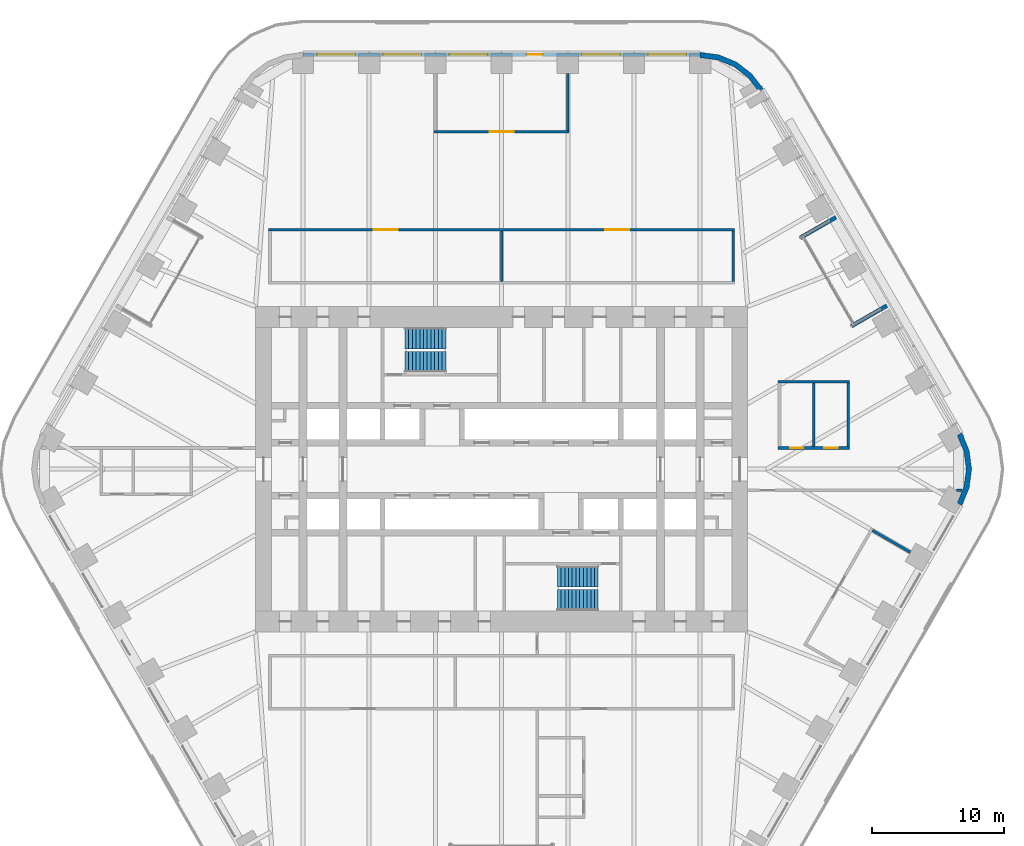
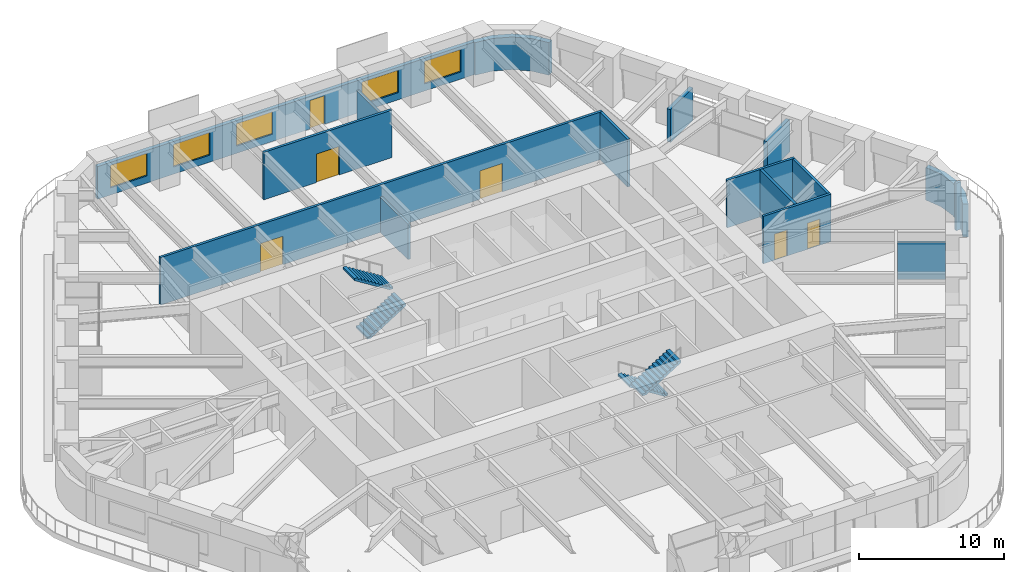
# One storey, part 21 of 24: 16 walls, 6 doors, 5 windows, 4 stair flights, 11 openings, 2 elements without a shape of their own.
"""IFC4 building model written with IfcOpenShell, lengths in metres."""

from ifc_helpers import new_model, si_unit, direction, frame, frame_2d, origin, place, context, subcontext, project, spatial, polyline, rectangle, outline, extrude, material, layer, layer_set, type_object, element, fill, aggregate, save


model = new_model("IFC4")

# Units and contexts
model_context = context("Model", 3, precision=1e-05, world=origin(), true_north=direction((0.0, 1.0)))
body_context = subcontext(model_context, "Body", "Model", "MODEL_VIEW")
ifc_project = project(units=[si_unit("LENGTHUNIT", "METRE"), si_unit("AREAUNIT", "SQUARE_METRE"), si_unit("VOLUMEUNIT", "CUBIC_METRE"), si_unit("PLANEANGLEUNIT", "RADIAN"), si_unit("MASSUNIT", "GRAM", prefix="KILO")], contexts=[model_context])

# Site, building, storey
site_placement = place(None, origin())
site = spatial("IfcSite", under=ifc_project, at=site_placement, CompositionType="ELEMENT")
building_placement = place(site_placement, origin())
building = spatial("IfcBuilding", under=site, at=building_placement, Name="Tarfa Lantern Tower", CompositionType="ELEMENT")
storey_placement = place(building_placement, frame((0.0, 0.0, 157.300048828125)))
storey = spatial("IfcBuildingStorey", under=building, at=storey_placement, Name="L35", CompositionType="ELEMENT", Elevation=157.300048828125)

# Walls
ifc_material_1 = material(Name="Limestone cladding on blockwork", Category="masonry")
ifc_layer_1 = layer(ifc_material_1, 0.300048828125)
ifc_layer_set_1 = layer_set([ifc_layer_1], Name="EW1 STONE-CLAD WALL 300")
wall_type_1 = type_object("IfcWallType", Name="EW1 STONE-CLAD WALL 300", PredefinedType="SOLIDWALL", material=ifc_layer_set_1)
wall_1_placement = place(storey_placement, frame((29.1201171875, 12.362548828125, 0.0), z_axis=(0.0, 0.0, 1.0), x_axis=(-0.86602952684, -0.49999285859, 0.0)))
element("IfcWall", 1, at=wall_1_placement, inside=storey, type_object=wall_type_1, Name="Loggia return NE 1", PredefinedType="SOLIDWALL", context=body_context, shape_type="SweptSolid", body=[
    extrude(rectangle(XDim=3.10009765625, YDim=0.300048828125, at=frame_2d((1.550048828125, 0.0))), origin(), (0.0, 0.0, 1.0), 2.75),
])
wall_2_placement = place(storey_placement, frame((25.266357421875, 19.037353515625, 0.0), z_axis=(0.0, 0.0, 1.0), x_axis=(-0.86600983753, -0.500026960575, 0.0)))
element("IfcWall", 2, at=wall_2_placement, inside=storey, type_object=wall_type_1, Name="Loggia return NE 2", PredefinedType="SOLIDWALL", context=body_context, shape_type="SweptSolid", body=[
    extrude(rectangle(XDim=3.099853515625, YDim=0.300048828125, at=frame_2d((1.5498046875, 0.0))), origin(), (0.0, 0.0, 1.0), 2.75),
])

# Wall, openings, door, windows
wall_3_placement = place(storey_placement, frame((15.010986328125, 31.35009765625, 0.0), z_axis=(0.0, 0.0, 1.0), x_axis=(-1.0, 0.0, 0.0)))
wall_3 = element("IfcWall", 3, at=wall_3_placement, inside=storey, type_object=wall_type_1, Name="Stone wall N", PredefinedType="SOLIDWALL", context=body_context, shape_type="SweptSolid", body=[
    extrude(rectangle(XDim=30.02197265625, YDim=0.300048828125, at=frame_2d((15.010986328125, 0.0))), origin(), (0.0, 0.0, 1.0), 2.75),
])
opening_1_placement = place(wall_3_placement, frame((1.0517578125, 0.0, 0.60009765625)))
opening_1 = element("IfcOpeningElement", 4, at=opening_1_placement, cuts=wall_3, Name="Opening W9", PredefinedType="OPENING", context=body_context, shape_type="SweptSolid", body=[
    extrude(rectangle(XDim=2.89990234375, YDim=1.89990234375, at=frame_2d((1.449951171875, 0.949951171875))), frame((0.0, 0.159912109375, 0.0), z_axis=(0.0, -1.0, 0.0), x_axis=(1.0, 0.0, 0.0)), (0.0, 0.0, 1.0), 0.320068359375),
])
opening_2_placement = place(wall_3_placement, frame((6.0556640625, 0.0, 0.60009765625)))
opening_2 = element("IfcOpeningElement", 5, at=opening_2_placement, cuts=wall_3, Name="Opening W9", PredefinedType="OPENING", context=body_context, shape_type="SweptSolid", body=[
    extrude(rectangle(XDim=2.89990234375, YDim=1.89990234375, at=frame_2d((1.449951171875, 0.949951171875))), frame((0.0, 0.159912109375, 0.0), z_axis=(0.0, -1.0, 0.0), x_axis=(1.0, 0.0, 0.0)), (0.0, 0.0, 1.0), 0.320068359375),
])
opening_3_placement = place(wall_3_placement, frame((11.9091796875, 0.0, 0.0)))
opening_3 = element("IfcOpeningElement", 6, at=opening_3_placement, cuts=wall_3, Name="Opening D48", PredefinedType="OPENING", context=body_context, shape_type="SweptSolid", body=[
    extrude(rectangle(XDim=1.199951171875, YDim=2.39990234375, at=frame_2d((0.60009765625, 1.199951171875))), frame((0.0, 0.159912109375, 0.0), z_axis=(0.0, -1.0, 0.0), x_axis=(1.0, 0.0, 0.0)), (0.0, 0.0, 1.0), 0.320068359375),
])
opening_4_placement = place(wall_3_placement, frame((16.06298828125, 0.0, 0.60009765625)))
opening_4 = element("IfcOpeningElement", 7, at=opening_4_placement, cuts=wall_3, Name="Opening W9", PredefinedType="OPENING", context=body_context, shape_type="SweptSolid", body=[
    extrude(rectangle(XDim=2.89990234375, YDim=1.89990234375, at=frame_2d((1.449951171875, 0.949951171875))), frame((0.0, 0.159912109375, 0.0), z_axis=(0.0, -1.0, 0.0), x_axis=(1.0, 0.0, 0.0)), (0.0, 0.0, 1.0), 0.320068359375),
])
opening_5_placement = place(wall_3_placement, frame((21.066650390625, 0.0, 0.60009765625)))
opening_5 = element("IfcOpeningElement", 8, at=opening_5_placement, cuts=wall_3, Name="Opening W9", PredefinedType="OPENING", context=body_context, shape_type="SweptSolid", body=[
    extrude(rectangle(XDim=2.89990234375, YDim=1.89990234375, at=frame_2d((1.449951171875, 0.949951171875))), frame((0.0, 0.159912109375, 0.0), z_axis=(0.0, -1.0, 0.0), x_axis=(1.0, 0.0, 0.0)), (0.0, 0.0, 1.0), 0.320068359375),
])
opening_6_placement = place(wall_3_placement, frame((26.0703125, 0.0, 0.60009765625)))
opening_6 = element("IfcOpeningElement", 9, at=opening_6_placement, cuts=wall_3, Name="Opening W9", PredefinedType="OPENING", context=body_context, shape_type="SweptSolid", body=[
    extrude(rectangle(XDim=2.89990234375, YDim=1.89990234375, at=frame_2d((1.449951171875, 0.949951171875))), frame((0.0, 0.159912109375, 0.0), z_axis=(0.0, -1.0, 0.0), x_axis=(1.0, 0.0, 0.0)), (0.0, 0.0, 1.0), 0.320068359375),
])
ifc_material_2 = material(Name="Aluminium framed glazed door", Category="aluminium")
door_type_1 = type_object("IfcDoorType", Name="BE3 BALCONY DOOR 1200x2400", OperationType="SINGLE_SWING_RIGHT", PredefinedType="DOOR", material=ifc_material_2)
door_1_placement = place(opening_3_placement, origin())
door_1 = element("IfcDoor", 10, at=door_1_placement, inside=storey, type_object=door_type_1, Name="Balcony door N", OperationType="SINGLE_SWING_RIGHT", OverallHeight=2.39990234375, OverallWidth=1.199951171875, PredefinedType="DOOR", context=body_context, shape_type="SweptSolid", body=[
    extrude(rectangle(XDim=1.199951171875, YDim=2.39990234375, at=frame_2d((0.60009765625, 1.199951171875))), frame((0.0, 0.02490234375, 0.0), z_axis=(0.0, -1.0, 0.0), x_axis=(1.0, 0.0, 0.0)), (0.0, 0.0, 1.0), 0.050048828125),
])
fill(opening_3, door_1)
ifc_material_3 = material(Name="Aluminium frame, double glazed", Category="aluminium")
window_type = type_object("IfcWindowType", Name="W9 FULL-HEIGHT GLAZING 2900x1900", PartitioningType="SINGLE_PANEL", PredefinedType="WINDOW", material=ifc_material_3)
window_1_placement = place(opening_1_placement, origin())
window_1 = element("IfcWindow", 11, at=window_1_placement, inside=storey, type_object=window_type, Name="Window N 1", OverallHeight=1.89990234375, OverallWidth=2.89990234375, PartitioningType="SINGLE_PANEL", PredefinedType="WINDOW", context=body_context, shape_type="SweptSolid", body=[
    extrude(rectangle(XDim=2.89990234375, YDim=1.89990234375, at=frame_2d((1.449951171875, 0.949951171875))), frame((0.0, 0.030029296875, 0.0), z_axis=(0.0, -1.0, 0.0), x_axis=(1.0, 0.0, 0.0)), (0.0, 0.0, 1.0), 0.06005859375),
])
fill(opening_1, window_1)
window_2_placement = place(opening_2_placement, origin())
window_2 = element("IfcWindow", 12, at=window_2_placement, inside=storey, type_object=window_type, Name="Window N 2", OverallHeight=1.89990234375, OverallWidth=2.89990234375, PartitioningType="SINGLE_PANEL", PredefinedType="WINDOW", context=body_context, shape_type="SweptSolid", body=[
    extrude(rectangle(XDim=2.89990234375, YDim=1.89990234375, at=frame_2d((1.449951171875, 0.949951171875))), frame((0.0, 0.030029296875, 0.0), z_axis=(0.0, -1.0, 0.0), x_axis=(1.0, 0.0, 0.0)), (0.0, 0.0, 1.0), 0.06005859375),
])
fill(opening_2, window_2)
window_3_placement = place(opening_4_placement, origin())
window_3 = element("IfcWindow", 13, at=window_3_placement, inside=storey, type_object=window_type, Name="Window N 4", OverallHeight=1.89990234375, OverallWidth=2.89990234375, PartitioningType="SINGLE_PANEL", PredefinedType="WINDOW", context=body_context, shape_type="SweptSolid", body=[
    extrude(rectangle(XDim=2.89990234375, YDim=1.89990234375, at=frame_2d((1.449951171875, 0.949951171875))), frame((0.0, 0.030029296875, 0.0), z_axis=(0.0, -1.0, 0.0), x_axis=(1.0, 0.0, 0.0)), (0.0, 0.0, 1.0), 0.06005859375),
])
fill(opening_4, window_3)
window_4_placement = place(opening_5_placement, origin())
window_4 = element("IfcWindow", 14, at=window_4_placement, inside=storey, type_object=window_type, Name="Window N 5", OverallHeight=1.89990234375, OverallWidth=2.89990234375, PartitioningType="SINGLE_PANEL", PredefinedType="WINDOW", context=body_context, shape_type="SweptSolid", body=[
    extrude(rectangle(XDim=2.89990234375, YDim=1.89990234375, at=frame_2d((1.449951171875, 0.949951171875))), frame((0.0, 0.030029296875, 0.0), z_axis=(0.0, -1.0, 0.0), x_axis=(1.0, 0.0, 0.0)), (0.0, 0.0, 1.0), 0.06005859375),
])
fill(opening_5, window_4)
window_5_placement = place(opening_6_placement, origin())
window_5 = element("IfcWindow", 15, at=window_5_placement, inside=storey, type_object=window_type, Name="Window N 6", OverallHeight=1.89990234375, OverallWidth=2.89990234375, PartitioningType="SINGLE_PANEL", PredefinedType="WINDOW", context=body_context, shape_type="SweptSolid", body=[
    extrude(rectangle(XDim=2.89990234375, YDim=1.89990234375, at=frame_2d((1.449951171875, 0.949951171875))), frame((0.0, 0.030029296875, 0.0), z_axis=(0.0, -1.0, 0.0), x_axis=(1.0, 0.0, 0.0)), (0.0, 0.0, 1.0), 0.06005859375),
])
fill(opening_6, window_5)

# Walls
ifc_layer_2 = layer(ifc_material_1, 0.39990234375)
ifc_layer_set_2 = layer_set([ifc_layer_2], Name="EW2 CURVED STONE CORNER 400")
wall_type_2 = type_object("IfcWallType", Name="EW2 CURVED STONE CORNER 400", PredefinedType="SOLIDWALL", material=ifc_layer_set_2)
wall_4_placement = place(storey_placement, origin())
element("IfcWall", 16, at=wall_4_placement, inside=storey, type_object=wall_type_2, Name="Stone corner NE-N", PredefinedType="SOLIDWALL", context=body_context, shape_type="SweptSolid", body=[
    extrude(outline(polyline([(19.774169921875, 28.75), (18.900146484375, 29.88916015625), (17.760986328125, 30.76318359375), (16.4345703125, 31.3125), (15.010986328125, 31.5), (15.010986328125, 31.10009765625), (16.3310546875, 30.92626953125), (17.56103515625, 30.416748046875), (18.617431640625, 29.606201171875), (19.427734375, 28.550048828125), (19.774169921875, 28.75)])), origin(), (0.0, 0.0, 1.0), 2.75),
])
wall_5_placement = place(storey_placement, origin())
element("IfcWall", 17, at=wall_5_placement, inside=storey, type_object=wall_type_2, Name="Stone corner SE-NE", PredefinedType="SOLIDWALL", context=body_context, shape_type="SweptSolid", body=[
    extrude(outline(polyline([(34.785400390625, -2.75), (35.334716796875, -1.423583984375), (35.522216796875, 0.0), (35.334716796875, 1.423583984375), (34.785400390625, 2.75), (34.43896484375, 2.550048828125), (34.948486328125, 1.320068359375), (35.122314453125, 0.0), (34.948486328125, -1.320068359375), (34.43896484375, -2.550048828125), (34.785400390625, -2.75)])), origin(), (0.0, 0.0, 1.0), 2.75),
])

# Wall, openings, doors
ifc_material_4 = material(Name="Gypsum board on steel studs", Category="steel")
ifc_layer_3 = layer(ifc_material_4, 0.2099609375)
ifc_layer_set_3 = layer_set([ifc_layer_3], Name="IW2 ACOUSTIC PARTITION 200")
wall_type_3 = type_object("IfcWallType", Name="IW2 ACOUSTIC PARTITION 200", PredefinedType="PARTITIONING", material=ifc_layer_set_3)
wall_6_placement = place(storey_placement, frame((-17.60009765625, 18.10009765625, 0.0), z_axis=(0.0, 0.0, 1.0), x_axis=(1.0, 0.0, 0.0)))
wall_6 = element("IfcWall", 18, at=wall_6_placement, inside=storey, type_object=wall_type_3, Name="Partition", PredefinedType="PARTITIONING", context=body_context, shape_type="SweptSolid", body=[
    extrude(rectangle(XDim=35.2001953125, YDim=0.199951171875, at=frame_2d((17.60009765625, 0.0))), origin(), (0.0, 0.0, 1.0), 4.0),
])
opening_7_placement = place(wall_6_placement, frame((7.949951171875, 0.0, 0.0)))
opening_7 = element("IfcOpeningElement", 19, at=opening_7_placement, cuts=wall_6, Name="Opening D37", PredefinedType="OPENING", context=body_context, shape_type="SweptSolid", body=[
    extrude(rectangle(XDim=1.800048828125, YDim=2.39990234375, at=frame_2d((0.89990234375, 1.199951171875))), frame((0.0, 0.10986328125, 0.0), z_axis=(0.0, -1.0, 0.0), x_axis=(1.0, 0.0, 0.0)), (0.0, 0.0, 1.0), 0.219970703125),
])
opening_8_placement = place(wall_6_placement, frame((25.449951171875, 0.0, 0.0)))
opening_8 = element("IfcOpeningElement", 20, at=opening_8_placement, cuts=wall_6, Name="Opening D38", PredefinedType="OPENING", context=body_context, shape_type="SweptSolid", body=[
    extrude(rectangle(XDim=1.800048828125, YDim=2.39990234375, at=frame_2d((0.89990234375, 1.199951171875))), frame((0.0, 0.10986328125, 0.0), z_axis=(0.0, -1.0, 0.0), x_axis=(1.0, 0.0, 0.0)), (0.0, 0.0, 1.0), 0.219970703125),
])
ifc_material_5 = material(Name="Timber door", Category="wood")
door_type_2 = type_object("IfcDoorType", Name="DR2 ROOM DOOR 1800x2400", OperationType="DOUBLE_DOOR_SINGLE_SWING", PredefinedType="DOOR", material=ifc_material_5)
door_2_placement = place(opening_7_placement, frame((1.800048828125, 0.0, 0.0), z_axis=(0.0, 0.0, 1.0), x_axis=(-1.0, 0.0, 0.0)))
door_2 = element("IfcDoor", 21, at=door_2_placement, inside=storey, type_object=door_type_2, Name="War room door", OperationType="DOUBLE_DOOR_SINGLE_SWING", OverallHeight=2.39990234375, OverallWidth=1.800048828125, PredefinedType="DOOR", context=body_context, shape_type="SweptSolid", body=[
    extrude(rectangle(XDim=1.800048828125, YDim=2.39990234375, at=frame_2d((0.89990234375, 1.199951171875))), frame((0.0, 0.02490234375, 0.0), z_axis=(0.0, -1.0, 0.0), x_axis=(1.0, 0.0, 0.0)), (0.0, 0.0, 1.0), 0.050048828125),
])
fill(opening_7, door_2)
door_3_placement = place(opening_8_placement, frame((1.800048828125, 0.0, 0.0), z_axis=(0.0, 0.0, 1.0), x_axis=(-1.0, 0.0, 0.0)))
door_3 = element("IfcDoor", 22, at=door_3_placement, inside=storey, type_object=door_type_2, Name="War room door", OperationType="DOUBLE_DOOR_SINGLE_SWING", OverallHeight=2.39990234375, OverallWidth=1.800048828125, PredefinedType="DOOR", context=body_context, shape_type="SweptSolid", body=[
    extrude(rectangle(XDim=1.800048828125, YDim=2.39990234375, at=frame_2d((0.89990234375, 1.199951171875))), frame((0.0, 0.02490234375, 0.0), z_axis=(0.0, -1.0, 0.0), x_axis=(1.0, 0.0, 0.0)), (0.0, 0.0, 1.0), 0.050048828125),
])
fill(opening_8, door_3)

# Walls
wall_7_placement = place(storey_placement, frame((0.0, 14.199951171875, 0.0), z_axis=(0.0, 0.0, 1.0), x_axis=(0.0, 1.0, 0.0)))
element("IfcWall", 23, at=wall_7_placement, inside=storey, type_object=wall_type_3, Name="Partition", PredefinedType="PARTITIONING", context=body_context, shape_type="SweptSolid", body=[
    extrude(rectangle(XDim=3.800048828125, YDim=0.199951171875, at=frame_2d((1.89990234375, 0.0))), origin(), (0.0, 0.0, 1.0), 2.991943359375),
])
wall_8_placement = place(storey_placement, frame((17.5, 14.199951171875, 0.0), z_axis=(0.0, 0.0, 1.0), x_axis=(0.0, 1.0, 0.0)))
element("IfcWall", 24, at=wall_8_placement, inside=storey, type_object=wall_type_3, Name="Partition", PredefinedType="PARTITIONING", context=body_context, shape_type="SweptSolid", body=[
    extrude(rectangle(XDim=3.800048828125, YDim=0.199951171875, at=frame_2d((1.89990234375, 0.0))), origin(), (0.0, 0.0, 1.0), 4.0),
])

# Wall, opening, door
wall_9_placement = place(storey_placement, frame((5.103759765625, 25.5, 0.0), z_axis=(0.0, 0.0, 1.0), x_axis=(-1.0, 0.0, 0.0)))
wall_9 = element("IfcWall", 25, at=wall_9_placement, inside=storey, type_object=wall_type_3, Name="Partition", PredefinedType="PARTITIONING", context=body_context, shape_type="SweptSolid", body=[
    extrude(rectangle(XDim=10.20751953125, YDim=0.199951171875, at=frame_2d((5.103759765625, 0.0))), origin(), (0.0, 0.0, 1.0), 4.0),
])
opening_9_placement = place(wall_9_placement, frame((4.20361328125, 0.0, 0.0)))
opening_9 = element("IfcOpeningElement", 26, at=opening_9_placement, cuts=wall_9, Name="Opening D35", PredefinedType="OPENING", context=body_context, shape_type="SweptSolid", body=[
    extrude(rectangle(XDim=1.800048828125, YDim=2.39990234375, at=frame_2d((0.89990234375, 1.199951171875))), frame((0.0, 0.10986328125, 0.0), z_axis=(0.0, -1.0, 0.0), x_axis=(1.0, 0.0, 0.0)), (0.0, 0.0, 1.0), 0.219970703125),
])
door_4_placement = place(opening_9_placement, frame((1.800048828125, 0.0, 0.0), z_axis=(0.0, 0.0, 1.0), x_axis=(-1.0, 0.0, 0.0)))
door_4 = element("IfcDoor", 27, at=door_4_placement, inside=storey, type_object=door_type_2, Name="Research library door", OperationType="DOUBLE_DOOR_SINGLE_SWING", OverallHeight=2.39990234375, OverallWidth=1.800048828125, PredefinedType="DOOR", context=body_context, shape_type="SweptSolid", body=[
    extrude(rectangle(XDim=1.800048828125, YDim=2.39990234375, at=frame_2d((0.89990234375, 1.199951171875))), frame((0.0, 0.02490234375, 0.0), z_axis=(0.0, -1.0, 0.0), x_axis=(1.0, 0.0, 0.0)), (0.0, 0.0, 1.0), 0.050048828125),
])
fill(opening_9, door_4)

# Walls
wall_10_placement = place(storey_placement, frame((5.003662109375, 25.60009765625, 0.0), z_axis=(0.0, 0.0, 1.0), x_axis=(0.0, 1.0, 0.0)))
element("IfcWall", 28, at=wall_10_placement, inside=storey, type_object=wall_type_3, Name="Partition", PredefinedType="PARTITIONING", context=body_context, shape_type="SweptSolid", body=[
    extrude(rectangle(XDim=4.2998046875, YDim=0.199951171875, at=frame_2d((2.14990234375, 0.0))), origin(), (0.0, 0.0, 1.0), 2.991943359375),
])
wall_11_placement = place(storey_placement, frame((28.0400390625, -4.63330078125, 0.0), z_axis=(0.0, 0.0, 1.0), x_axis=(0.866008176907, -0.50002983664, 0.0)))
element("IfcWall", 29, at=wall_11_placement, inside=storey, type_object=wall_type_3, Name="Partition", PredefinedType="PARTITIONING", context=body_context, shape_type="SweptSolid", body=[
    extrude(rectangle(XDim=3.300048828125, YDim=0.199951171875, at=frame_2d((1.64990234375, 0.0))), origin(), (0.0, 0.0, 1.0), 3.08154296875),
])

# Wall, openings, doors
wall_12_placement = place(storey_placement, frame((20.89990234375, 1.60009765625, 0.0), z_axis=(0.0, 0.0, 1.0), x_axis=(1.0, 0.0, 0.0)))
wall_12 = element("IfcWall", 30, at=wall_12_placement, inside=storey, type_object=wall_type_3, Name="Partition", PredefinedType="PARTITIONING", context=body_context, shape_type="SweptSolid", body=[
    extrude(rectangle(XDim=5.400146484375, YDim=0.199951171875, at=frame_2d((2.7001953125, 0.0))), origin(), (0.0, 0.0, 1.0), 4.0),
])
opening_10_placement = place(wall_12_placement, frame((0.89990234375, 0.0, 0.0)))
opening_10 = element("IfcOpeningElement", 31, at=opening_10_placement, cuts=wall_12, Name="Opening D33", PredefinedType="OPENING", context=body_context, shape_type="SweptSolid", body=[
    extrude(rectangle(XDim=1.0, YDim=2.199951171875, at=frame_2d((0.5, 1.10009765625))), frame((0.0, 0.10986328125, 0.0), z_axis=(0.0, -1.0, 0.0), x_axis=(1.0, 0.0, 0.0)), (0.0, 0.0, 1.0), 0.219970703125),
])
opening_11_placement = place(wall_12_placement, frame((3.5, 0.0, 0.0)))
opening_11 = element("IfcOpeningElement", 32, at=opening_11_placement, cuts=wall_12, Name="Opening D34", PredefinedType="OPENING", context=body_context, shape_type="SweptSolid", body=[
    extrude(rectangle(XDim=1.0, YDim=2.199951171875, at=frame_2d((0.5, 1.10009765625))), frame((0.0, 0.10986328125, 0.0), z_axis=(0.0, -1.0, 0.0), x_axis=(1.0, 0.0, 0.0)), (0.0, 0.0, 1.0), 0.219970703125),
])
door_type_3 = type_object("IfcDoorType", Name="DR1 ROOM DOOR 1000x2200", OperationType="SINGLE_SWING_LEFT", PredefinedType="DOOR", material=ifc_material_5)
door_5_placement = place(opening_10_placement, origin())
door_5 = element("IfcDoor", 33, at=door_5_placement, inside=storey, type_object=door_type_3, Name="Focus room door", OperationType="SINGLE_SWING_RIGHT", OverallHeight=2.199951171875, OverallWidth=1.0, PredefinedType="DOOR", context=body_context, shape_type="SweptSolid", body=[
    extrude(rectangle(XDim=1.0, YDim=2.199951171875, at=frame_2d((0.5, 1.10009765625))), frame((0.0, 0.02490234375, 0.0), z_axis=(0.0, -1.0, 0.0), x_axis=(1.0, 0.0, 0.0)), (0.0, 0.0, 1.0), 0.050048828125),
])
fill(opening_10, door_5)
door_6_placement = place(opening_11_placement, origin())
door_6 = element("IfcDoor", 34, at=door_6_placement, inside=storey, type_object=door_type_3, Name="Focus room door", OperationType="SINGLE_SWING_LEFT", OverallHeight=2.199951171875, OverallWidth=1.0, PredefinedType="DOOR", context=body_context, shape_type="SweptSolid", body=[
    extrude(rectangle(XDim=1.0, YDim=2.199951171875, at=frame_2d((0.5, 1.10009765625))), frame((0.0, 0.02490234375, 0.0), z_axis=(0.0, -1.0, 0.0), x_axis=(1.0, 0.0, 0.0)), (0.0, 0.0, 1.0), 0.050048828125),
])
fill(opening_11, door_6)

# Walls
wall_13_placement = place(storey_placement, frame((20.89990234375, 6.60009765625, 0.0), z_axis=(0.0, 0.0, 1.0), x_axis=(1.0, 0.0, 0.0)))
element("IfcWall", 35, at=wall_13_placement, inside=storey, type_object=wall_type_3, Name="Partition", PredefinedType="PARTITIONING", context=body_context, shape_type="SweptSolid", body=[
    extrude(rectangle(XDim=5.400146484375, YDim=0.199951171875, at=frame_2d((2.7001953125, 0.0))), origin(), (0.0, 0.0, 1.0), 4.0),
])
for number, where, z_axis, x_axis, name in (
    (36, (23.60009765625, 1.699951171875, 0.0), (0.0, 0.0, 1.0), (0.0, 1.0, 0.0), "Partition"),
    (37, (26.199951171875, 1.699951171875, 0.0), (0.0, 0.0, 1.0), (0.0, 1.0, 0.0), "Partition"),
):
    element("IfcWall", number, at=place(storey_placement, frame(where, z_axis=z_axis, x_axis=x_axis)), inside=storey, type_object=wall_type_3, Name=name, PredefinedType="PARTITIONING", context=body_context, shape_type="SweptSolid", body=[
        extrude(rectangle(XDim=4.800048828125, YDim=0.199951171875, at=frame_2d((2.39990234375, 0.0))), origin(), (0.0, 0.0, 1.0), 4.0),
    ])
wall_14_placement = place(storey_placement, frame((34.3935546875, -1.60009765625, 0.0), z_axis=(0.0, 0.0, 1.0), x_axis=(1.0, 0.0, 0.0)))
element("IfcWall", 38, at=wall_14_placement, inside=storey, type_object=wall_type_3, Name="Partition", PredefinedType="PARTITIONING", context=body_context, shape_type="SweptSolid", body=[
    extrude(rectangle(XDim=0.397705078125, YDim=0.199951171875, at=frame_2d((0.19873046875, 0.0))), origin(), (0.0, 0.0, 1.0), 4.0),
])

# Stair, stair flights
ifc_material_6 = material(Name="Concrete C40/50", Category="concrete")
stair_type = type_object("IfcStairType", Name="ST-T10 HALF-TURN STAIR 4200 RISE", PredefinedType="HALF_TURN_STAIR", material=ifc_material_6)
stair_1_placement = place(storey_placement, origin())
stair_1 = element("IfcStair", 39, at=stair_1_placement, inside=storey, type_object=stair_type, Name="Stair ST1", PredefinedType="HALF_TURN_STAIR")
stair_flight_type = type_object("IfcStairFlightType", Name="SF1 STAIR FLIGHT", PredefinedType="STRAIGHT", material=ifc_material_6)
stair_flight_1_placement = place(storey_placement, frame((-7.300048828125, 8.10009765625, 0.0), z_axis=(0.0, 0.0, 1.0), x_axis=(1.0, 0.0, 0.0)))
stair_flight_1 = element("IfcStairFlight", 40, at=stair_flight_1_placement, type_object=stair_flight_type, Name="ST1 flight 1", NumberOfRisers=12, NumberOfTreads=11, PredefinedType="STRAIGHT", RiserHeight=0.175, TreadLength=0.28, context=body_context, shape_type="SweptSolid", body=[
    extrude(outline(polyline([(0.0, 0.0), (0.0, 0.175048828125), (0.280029296875, 0.175048828125), (0.280029296875, 0.35009765625), (0.56005859375, 0.35009765625), (0.56005859375, 0.52490234375), (0.840087890625, 0.52490234375), (0.840087890625, 0.699951171875), (1.1201171875, 0.699951171875), (1.1201171875, 0.875), (1.39990234375, 0.875), (1.39990234375, 1.050048828125), (1.679931640625, 1.050048828125), (1.679931640625, 1.22509765625), (1.9599609375, 1.22509765625), (1.9599609375, 1.39990234375), (2.239990234375, 1.39990234375), (2.239990234375, 1.574951171875), (2.52001953125, 1.574951171875), (2.52001953125, 1.75), (2.800048828125, 1.75), (2.800048828125, 1.925048828125), (3.080078125, 1.925048828125), (3.080078125, 2.10009765625), (3.080078125, 1.748291015625), (0.28271484375, 0.0), (0.0, 0.0)])), frame((0.0, 0.800048828125, 0.0), z_axis=(0.0, -1.0, 0.0), x_axis=(1.0, 0.0, 0.0)), (0.0, 0.0, 1.0), 1.60009765625),
])
stair_flight_2_placement = place(storey_placement, frame((-4.219970703125, 9.89990234375, 2.099853515625), z_axis=(0.0, 0.0, 1.0), x_axis=(-1.0, 0.0, 0.0)))
stair_flight_2 = element("IfcStairFlight", 41, at=stair_flight_2_placement, type_object=stair_flight_type, Name="ST1 flight 2", NumberOfRisers=12, NumberOfTreads=11, PredefinedType="STRAIGHT", RiserHeight=0.175, TreadLength=0.28, context=body_context, shape_type="SweptSolid", body=[
    extrude(outline(polyline([(0.0, 0.0), (0.0, 0.175048828125), (0.280029296875, 0.175048828125), (0.280029296875, 0.35009765625), (0.56005859375, 0.35009765625), (0.56005859375, 0.52490234375), (0.840087890625, 0.52490234375), (0.840087890625, 0.699951171875), (1.1201171875, 0.699951171875), (1.1201171875, 0.875), (1.39990234375, 0.875), (1.39990234375, 1.050048828125), (1.679931640625, 1.050048828125), (1.679931640625, 1.22509765625), (1.9599609375, 1.22509765625), (1.9599609375, 1.39990234375), (2.239990234375, 1.39990234375), (2.239990234375, 1.574951171875), (2.52001953125, 1.574951171875), (2.52001953125, 1.75), (2.800048828125, 1.75), (2.800048828125, 1.925048828125), (3.080078125, 1.925048828125), (3.080078125, 2.10009765625), (3.080078125, 1.748291015625), (0.28271484375, 0.0), (0.0, 0.0)])), frame((0.0, 0.800048828125, 0.0), z_axis=(0.0, -1.0, 0.0), x_axis=(1.0, 0.0, 0.0)), (0.0, 0.0, 1.0), 1.60009765625),
])
aggregate(stair_1, [stair_flight_1, stair_flight_2])

stair_2_placement = place(storey_placement, origin())
stair_2 = element("IfcStair", 42, at=stair_2_placement, inside=storey, type_object=stair_type, Name="Stair ST2", PredefinedType="HALF_TURN_STAIR")
stair_flight_3_placement = place(storey_placement, frame((7.300048828125, -8.10009765625, 0.0), z_axis=(0.0, 0.0, 1.0), x_axis=(-1.0, 0.0, 0.0)))
stair_flight_3 = element("IfcStairFlight", 43, at=stair_flight_3_placement, type_object=stair_flight_type, Name="ST2 flight 1", NumberOfRisers=12, NumberOfTreads=11, PredefinedType="STRAIGHT", RiserHeight=0.175, TreadLength=0.28, context=body_context, shape_type="SweptSolid", body=[
    extrude(outline(polyline([(0.0, 0.0), (0.0, 0.175048828125), (0.280029296875, 0.175048828125), (0.280029296875, 0.35009765625), (0.56005859375, 0.35009765625), (0.56005859375, 0.52490234375), (0.840087890625, 0.52490234375), (0.840087890625, 0.699951171875), (1.1201171875, 0.699951171875), (1.1201171875, 0.875), (1.39990234375, 0.875), (1.39990234375, 1.050048828125), (1.679931640625, 1.050048828125), (1.679931640625, 1.22509765625), (1.9599609375, 1.22509765625), (1.9599609375, 1.39990234375), (2.239990234375, 1.39990234375), (2.239990234375, 1.574951171875), (2.52001953125, 1.574951171875), (2.52001953125, 1.75), (2.800048828125, 1.75), (2.800048828125, 1.925048828125), (3.080078125, 1.925048828125), (3.080078125, 2.10009765625), (3.080078125, 1.748291015625), (0.28271484375, 0.0), (0.0, 0.0)])), frame((0.0, 0.800048828125, 0.0), z_axis=(0.0, -1.0, 0.0), x_axis=(1.0, 0.0, 0.0)), (0.0, 0.0, 1.0), 1.60009765625),
])
stair_flight_4_placement = place(storey_placement, frame((4.219970703125, -9.89990234375, 2.099853515625), z_axis=(0.0, 0.0, 1.0), x_axis=(1.0, 0.0, 0.0)))
stair_flight_4 = element("IfcStairFlight", 44, at=stair_flight_4_placement, type_object=stair_flight_type, Name="ST2 flight 2", NumberOfRisers=12, NumberOfTreads=11, PredefinedType="STRAIGHT", RiserHeight=0.175, TreadLength=0.28, context=body_context, shape_type="SweptSolid", body=[
    extrude(outline(polyline([(0.0, 0.0), (0.0, 0.175048828125), (0.280029296875, 0.175048828125), (0.280029296875, 0.35009765625), (0.56005859375, 0.35009765625), (0.56005859375, 0.52490234375), (0.840087890625, 0.52490234375), (0.840087890625, 0.699951171875), (1.1201171875, 0.699951171875), (1.1201171875, 0.875), (1.39990234375, 0.875), (1.39990234375, 1.050048828125), (1.679931640625, 1.050048828125), (1.679931640625, 1.22509765625), (1.9599609375, 1.22509765625), (1.9599609375, 1.39990234375), (2.239990234375, 1.39990234375), (2.239990234375, 1.574951171875), (2.52001953125, 1.574951171875), (2.52001953125, 1.75), (2.800048828125, 1.75), (2.800048828125, 1.925048828125), (3.080078125, 1.925048828125), (3.080078125, 2.10009765625), (3.080078125, 1.748291015625), (0.28271484375, 0.0), (0.0, 0.0)])), frame((0.0, 0.800048828125, 0.0), z_axis=(0.0, -1.0, 0.0), x_axis=(1.0, 0.0, 0.0)), (0.0, 0.0, 1.0), 1.60009765625),
])
aggregate(stair_2, [stair_flight_3, stair_flight_4])

save(model, "model.ifc")
